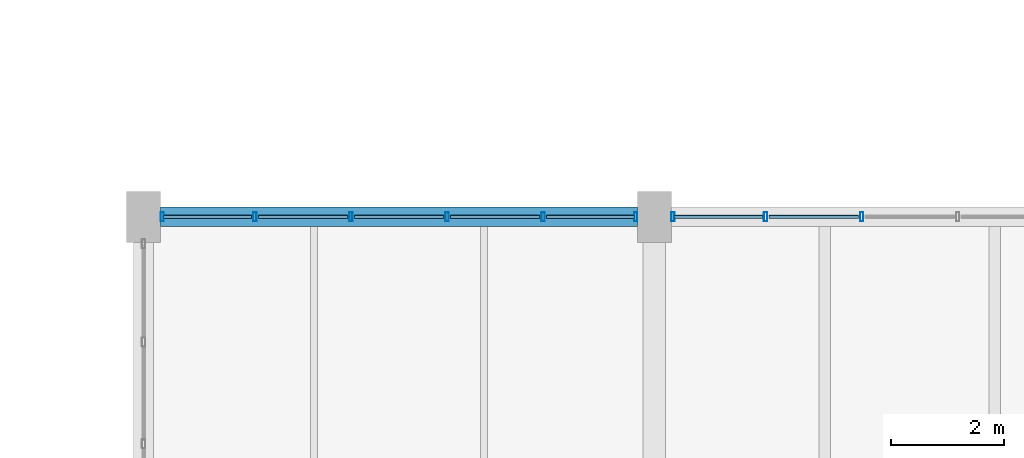
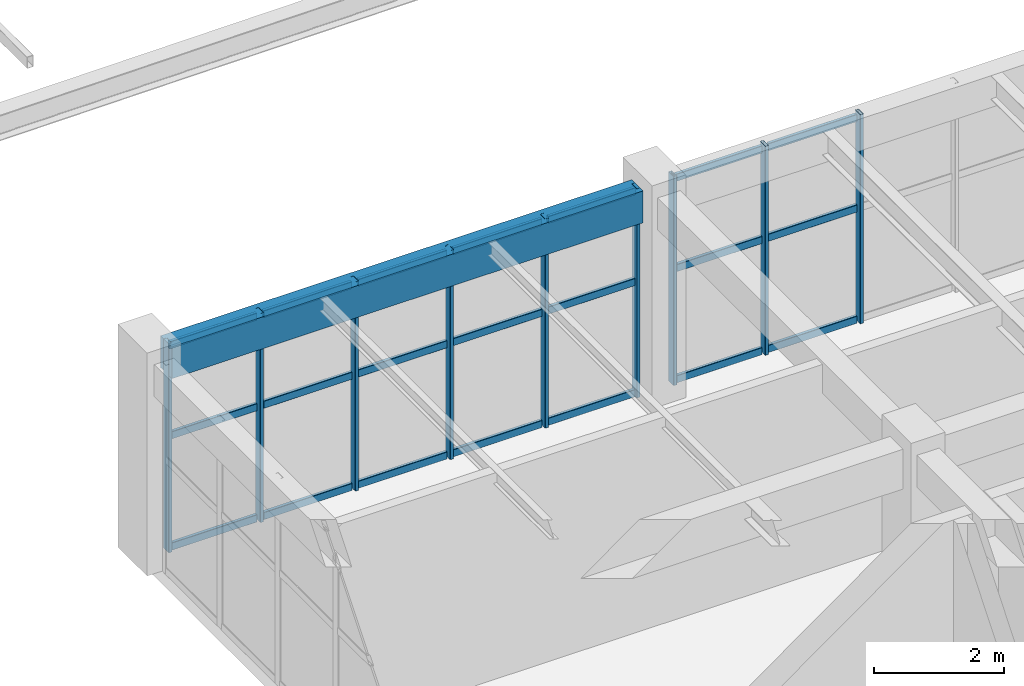
# One storey, part 16 of 148: 30 members, 1 beam, 2 elements without a shape of their own.
"""IFC4 building model written with IfcOpenShell, lengths in metres."""

from ifc_helpers import new_model, si_unit, derived_unit, direction, frame, origin, origin_2d, place, context, subcontext, project, spatial, rectangle, hollow_rectangle, extrude, material, material_profile, profile_set, type_object, element, aggregate, save


model = new_model("IFC4")

# Units and contexts
model_context = context("Model", 3, precision=1e-05, world=origin(), true_north=direction((0.0, 1.0)))
body_context = subcontext(model_context, "Body", "Model", "MODEL_VIEW")
ifc_project = project(units=[si_unit("LENGTHUNIT", "METRE"), si_unit("AREAUNIT", "SQUARE_METRE"), si_unit("VOLUMEUNIT", "CUBIC_METRE"), si_unit("PLANEANGLEUNIT", "RADIAN"), si_unit("MASSUNIT", "GRAM", prefix="KILO"), derived_unit("THERMALTRANSMITTANCEUNIT", [(si_unit("MASSUNIT", "GRAM", prefix="KILO"), 1), (si_unit("TIMEUNIT", "SECOND"), -3), (si_unit("THERMODYNAMICTEMPERATUREUNIT", "KELVIN"), -1)])], contexts=[model_context])

# Site, building, storey
site_placement = place(None, origin())
site = spatial("IfcSite", under=ifc_project, at=site_placement, CompositionType="ELEMENT")
building_placement = place(site_placement, origin())
building = spatial("IfcBuilding", under=site, at=building_placement, Name="Zhenchuan Archway Interchange", CompositionType="ELEMENT")
storey_placement = place(building_placement, frame((0.0, 0.0, 10.199951171875)))
storey = spatial("IfcBuildingStorey", under=building, at=storey_placement, Name="L02", CompositionType="ELEMENT", Elevation=10.199951171875)

# Curtain wall, members
ifc_material_1 = material(Name="Anodised Aluminium", Category="aluminium")
curtain_wall_type_1 = type_object("IfcCurtainWallType", Name="CW_UNIT_4", PredefinedType="NOTDEFINED", material=ifc_material_1)
curtain_wall_1_placement = place(storey_placement, origin())
curtain_wall_1 = element("IfcCurtainWall", 1, at=curtain_wall_1_placement, inside=storey, type_object=curtain_wall_type_1, Name="Unitised curtain wall CW:L02:111", PredefinedType="NOTDEFINED")
ifc_material_profile_1 = material_profile(ifc_material_1, hollow_rectangle(XDim=0.06005859375, YDim=0.159912109375, WallThickness=0.00390625, InnerFilletRadius=0.00390625, OuterFilletRadius=0.008056640625, at=origin_2d()), Name="ALU 160x60x4")
ifc_profile_set_1 = profile_set([ifc_material_profile_1], Name="Anodised Aluminium")
member_type_1 = type_object("IfcMemberType", Name="CW_MUL_150", PredefinedType="MULLION", material=ifc_profile_set_1)
member_1_placement = place(storey_placement, frame((0.327880859375, 16.0, 0.0), z_axis=(0.0, 0.0, 1.0), x_axis=(1.0, 0.0, 0.0)))
member_1 = element("IfcMember", 2, at=member_1_placement, type_object=member_type_1, Name="CW:L02:111 mullion 0", PredefinedType="MULLION", context=body_context, shape_type="SweptSolid", body=[
    extrude(hollow_rectangle(XDim=0.06005859375, YDim=0.159912109375, WallThickness=0.00390625, InnerFilletRadius=0.00390625, OuterFilletRadius=0.008056640625, at=origin_2d()), origin(), (0.0, 0.0, 1.0), 3.93994140625),
])
member_2_placement = place(storey_placement, frame((1.960693359375, 16.0, 0.0), z_axis=(0.0, 0.0, 1.0), x_axis=(1.0, 0.0, 0.0)))
member_2 = element("IfcMember", 3, at=member_2_placement, type_object=member_type_1, Name="CW:L02:111 mullion 1", PredefinedType="MULLION", context=body_context, shape_type="SweptSolid", body=[
    extrude(hollow_rectangle(XDim=0.06005859375, YDim=0.159912109375, WallThickness=0.00390625, InnerFilletRadius=0.00390625, OuterFilletRadius=0.008056640625, at=origin_2d()), origin(), (0.0, 0.0, 1.0), 3.93994140625),
])
member_3_placement = place(storey_placement, frame((3.653564453125, 16.0, 0.0), z_axis=(0.0, 0.0, 1.0), x_axis=(1.0, 0.0, 0.0)))
member_3 = element("IfcMember", 4, at=member_3_placement, type_object=member_type_1, Name="CW:L02:111 mullion 2", PredefinedType="MULLION", context=body_context, shape_type="SweptSolid", body=[
    extrude(hollow_rectangle(XDim=0.06005859375, YDim=0.159912109375, WallThickness=0.00390625, InnerFilletRadius=0.00390625, OuterFilletRadius=0.008056640625, at=origin_2d()), origin(), (0.0, 0.0, 1.0), 3.93994140625),
])
member_4_placement = place(storey_placement, frame((5.346435546875, 16.0, 0.0), z_axis=(0.0, 0.0, 1.0), x_axis=(1.0, 0.0, 0.0)))
member_4 = element("IfcMember", 5, at=member_4_placement, type_object=member_type_1, Name="CW:L02:111 mullion 3", PredefinedType="MULLION", context=body_context, shape_type="SweptSolid", body=[
    extrude(hollow_rectangle(XDim=0.06005859375, YDim=0.159912109375, WallThickness=0.00390625, InnerFilletRadius=0.00390625, OuterFilletRadius=0.008056640625, at=origin_2d()), origin(), (0.0, 0.0, 1.0), 3.93994140625),
])
member_5_placement = place(storey_placement, frame((7.039306640625, 16.0, 0.0), z_axis=(0.0, 0.0, 1.0), x_axis=(1.0, 0.0, 0.0)))
member_5 = element("IfcMember", 6, at=member_5_placement, type_object=member_type_1, Name="CW:L02:111 mullion 4", PredefinedType="MULLION", context=body_context, shape_type="SweptSolid", body=[
    extrude(hollow_rectangle(XDim=0.06005859375, YDim=0.159912109375, WallThickness=0.00390625, InnerFilletRadius=0.00390625, OuterFilletRadius=0.008056640625, at=origin_2d()), origin(), (0.0, 0.0, 1.0), 3.93994140625),
])
member_6_placement = place(storey_placement, frame((8.672119140625, 16.0, 0.0), z_axis=(0.0, 0.0, 1.0), x_axis=(1.0, 0.0, 0.0)))
member_6 = element("IfcMember", 7, at=member_6_placement, type_object=member_type_1, Name="CW:L02:111 mullion 5", PredefinedType="MULLION", context=body_context, shape_type="SweptSolid", body=[
    extrude(hollow_rectangle(XDim=0.06005859375, YDim=0.159912109375, WallThickness=0.00390625, InnerFilletRadius=0.00390625, OuterFilletRadius=0.008056640625, at=origin_2d()), origin(), (0.0, 0.0, 1.0), 3.93994140625),
])

curtain_wall_type_2 = type_object("IfcCurtainWallType", Name="CW_UNIT_1", PredefinedType="NOTDEFINED", material=ifc_material_1)
curtain_wall_2_placement = place(storey_placement, origin())
curtain_wall_2 = element("IfcCurtainWall", 8, at=curtain_wall_2_placement, inside=storey, type_object=curtain_wall_type_2, Name="Unitised curtain wall CW:L02:112", PredefinedType="NOTDEFINED")
member_7_placement = place(storey_placement, frame((9.327880859375, 16.0, 0.0), z_axis=(0.0, 0.0, 1.0), x_axis=(1.0, 0.0, 0.0)))
member_7 = element("IfcMember", 9, at=member_7_placement, type_object=member_type_1, Name="CW:L02:112 mullion 0", PredefinedType="MULLION", context=body_context, shape_type="SweptSolid", body=[
    extrude(hollow_rectangle(XDim=0.06005859375, YDim=0.159912109375, WallThickness=0.00390625, InnerFilletRadius=0.00390625, OuterFilletRadius=0.008056640625, at=origin_2d()), origin(), (0.0, 0.0, 1.0), 3.93994140625),
])
member_8_placement = place(storey_placement, frame((10.960693359375, 16.0, 0.0), z_axis=(0.0, 0.0, 1.0), x_axis=(1.0, 0.0, 0.0)))
member_8 = element("IfcMember", 10, at=member_8_placement, type_object=member_type_1, Name="CW:L02:112 mullion 1", PredefinedType="MULLION", context=body_context, shape_type="SweptSolid", body=[
    extrude(hollow_rectangle(XDim=0.06005859375, YDim=0.159912109375, WallThickness=0.00390625, InnerFilletRadius=0.00390625, OuterFilletRadius=0.008056640625, at=origin_2d()), origin(), (0.0, 0.0, 1.0), 3.93994140625),
])
member_9_placement = place(storey_placement, frame((12.653564453125, 16.0, 0.0), z_axis=(0.0, 0.0, 1.0), x_axis=(1.0, 0.0, 0.0)))
member_9 = element("IfcMember", 11, at=member_9_placement, type_object=member_type_1, Name="CW:L02:112 mullion 2", PredefinedType="MULLION", context=body_context, shape_type="SweptSolid", body=[
    extrude(hollow_rectangle(XDim=0.06005859375, YDim=0.159912109375, WallThickness=0.00390625, InnerFilletRadius=0.00390625, OuterFilletRadius=0.008056640625, at=origin_2d()), origin(), (0.0, 0.0, 1.0), 3.93994140625),
])

# Member
ifc_material_profile_2 = material_profile(ifc_material_1, hollow_rectangle(XDim=0.06005859375, YDim=0.139892578125, WallThickness=0.00341796875, InnerFilletRadius=0.00341796875, OuterFilletRadius=0.007080078125, at=origin_2d()), Name="ALU 140x60x3.5")
ifc_profile_set_2 = profile_set([ifc_material_profile_2], Name="Anodised Aluminium")
member_type_2 = type_object("IfcMemberType", Name="CW_TRN_140", PredefinedType="USERDEFINED", material=ifc_profile_set_2)
member_10_placement = place(storey_placement, frame((0.347900390625, 16.0, 0.06005859375), z_axis=(1.0, 0.0, 0.0), x_axis=(0.0, 1.0, 0.0)))
member_10 = element("IfcMember", 12, at=member_10_placement, type_object=member_type_2, Name="CW:L02:111 transom 0-1", ObjectType="TRANSOM", PredefinedType="USERDEFINED", context=body_context, shape_type="SweptSolid", body=[
    extrude(hollow_rectangle(XDim=0.06005859375, YDim=0.139892578125, WallThickness=0.00341796875, InnerFilletRadius=0.00341796875, OuterFilletRadius=0.007080078125, at=origin_2d()), origin(), (0.0, 0.0, 1.0), 1.552978515625),
])

member_11_placement = place(storey_placement, frame((0.347900390625, 16.0, 2.156005859375), z_axis=(1.0, 0.0, 0.0), x_axis=(0.0, 1.0, 0.0)))
member_11 = element("IfcMember", 13, at=member_11_placement, type_object=member_type_2, Name="CW:L02:111 transom 0-2", ObjectType="TRANSOM", PredefinedType="USERDEFINED", context=body_context, shape_type="SweptSolid", body=[
    extrude(hollow_rectangle(XDim=0.06005859375, YDim=0.139892578125, WallThickness=0.00341796875, InnerFilletRadius=0.00341796875, OuterFilletRadius=0.007080078125, at=origin_2d()), origin(), (0.0, 0.0, 1.0), 1.552978515625),
])

member_12_placement = place(storey_placement, frame((0.347900390625, 16.0, 3.860107421875), z_axis=(1.0, 0.0, 0.0), x_axis=(0.0, 1.0, 0.0)))
member_12 = element("IfcMember", 14, at=member_12_placement, type_object=member_type_2, Name="CW:L02:111 transom 0-3", ObjectType="TRANSOM", PredefinedType="USERDEFINED", context=body_context, shape_type="SweptSolid", body=[
    extrude(hollow_rectangle(XDim=0.06005859375, YDim=0.139892578125, WallThickness=0.00341796875, InnerFilletRadius=0.00341796875, OuterFilletRadius=0.007080078125, at=origin_2d()), origin(), (0.0, 0.0, 1.0), 1.552978515625),
])

member_13_placement = place(storey_placement, frame((2.020751953125, 16.0, 0.06005859375), z_axis=(1.0, 0.0, 0.0), x_axis=(0.0, 1.0, 0.0)))
member_13 = element("IfcMember", 15, at=member_13_placement, type_object=member_type_2, Name="CW:L02:111 transom 1-1", ObjectType="TRANSOM", PredefinedType="USERDEFINED", context=body_context, shape_type="SweptSolid", body=[
    extrude(hollow_rectangle(XDim=0.06005859375, YDim=0.139892578125, WallThickness=0.00341796875, InnerFilletRadius=0.00341796875, OuterFilletRadius=0.007080078125, at=origin_2d()), origin(), (0.0, 0.0, 1.0), 1.57275390625),
])

member_14_placement = place(storey_placement, frame((2.020751953125, 16.0, 2.156005859375), z_axis=(1.0, 0.0, 0.0), x_axis=(0.0, 1.0, 0.0)))
member_14 = element("IfcMember", 16, at=member_14_placement, type_object=member_type_2, Name="CW:L02:111 transom 1-2", ObjectType="TRANSOM", PredefinedType="USERDEFINED", context=body_context, shape_type="SweptSolid", body=[
    extrude(hollow_rectangle(XDim=0.06005859375, YDim=0.139892578125, WallThickness=0.00341796875, InnerFilletRadius=0.00341796875, OuterFilletRadius=0.007080078125, at=origin_2d()), origin(), (0.0, 0.0, 1.0), 1.57275390625),
])

member_15_placement = place(storey_placement, frame((2.020751953125, 16.0, 3.860107421875), z_axis=(1.0, 0.0, 0.0), x_axis=(0.0, 1.0, 0.0)))
member_15 = element("IfcMember", 17, at=member_15_placement, type_object=member_type_2, Name="CW:L02:111 transom 1-3", ObjectType="TRANSOM", PredefinedType="USERDEFINED", context=body_context, shape_type="SweptSolid", body=[
    extrude(hollow_rectangle(XDim=0.06005859375, YDim=0.139892578125, WallThickness=0.00341796875, InnerFilletRadius=0.00341796875, OuterFilletRadius=0.007080078125, at=origin_2d()), origin(), (0.0, 0.0, 1.0), 1.57275390625),
])

member_16_placement = place(storey_placement, frame((3.713623046875, 16.0, 0.06005859375), z_axis=(1.0, 0.0, 0.0), x_axis=(0.0, 1.0, 0.0)))
member_16 = element("IfcMember", 18, at=member_16_placement, type_object=member_type_2, Name="CW:L02:111 transom 2-1", ObjectType="TRANSOM", PredefinedType="USERDEFINED", context=body_context, shape_type="SweptSolid", body=[
    extrude(hollow_rectangle(XDim=0.06005859375, YDim=0.139892578125, WallThickness=0.00341796875, InnerFilletRadius=0.00341796875, OuterFilletRadius=0.007080078125, at=origin_2d()), origin(), (0.0, 0.0, 1.0), 1.57275390625),
])

member_17_placement = place(storey_placement, frame((3.713623046875, 16.0, 2.156005859375), z_axis=(1.0, 0.0, 0.0), x_axis=(0.0, 1.0, 0.0)))
member_17 = element("IfcMember", 19, at=member_17_placement, type_object=member_type_2, Name="CW:L02:111 transom 2-2", ObjectType="TRANSOM", PredefinedType="USERDEFINED", context=body_context, shape_type="SweptSolid", body=[
    extrude(hollow_rectangle(XDim=0.06005859375, YDim=0.139892578125, WallThickness=0.00341796875, InnerFilletRadius=0.00341796875, OuterFilletRadius=0.007080078125, at=origin_2d()), origin(), (0.0, 0.0, 1.0), 1.57275390625),
])

member_18_placement = place(storey_placement, frame((3.713623046875, 16.0, 3.860107421875), z_axis=(1.0, 0.0, 0.0), x_axis=(0.0, 1.0, 0.0)))
member_18 = element("IfcMember", 20, at=member_18_placement, type_object=member_type_2, Name="CW:L02:111 transom 2-3", ObjectType="TRANSOM", PredefinedType="USERDEFINED", context=body_context, shape_type="SweptSolid", body=[
    extrude(hollow_rectangle(XDim=0.06005859375, YDim=0.139892578125, WallThickness=0.00341796875, InnerFilletRadius=0.00341796875, OuterFilletRadius=0.007080078125, at=origin_2d()), origin(), (0.0, 0.0, 1.0), 1.57275390625),
])

member_19_placement = place(storey_placement, frame((5.406494140625, 16.0, 0.06005859375), z_axis=(1.0, 0.0, 0.0), x_axis=(0.0, 1.0, 0.0)))
member_19 = element("IfcMember", 21, at=member_19_placement, type_object=member_type_2, Name="CW:L02:111 transom 3-1", ObjectType="TRANSOM", PredefinedType="USERDEFINED", context=body_context, shape_type="SweptSolid", body=[
    extrude(hollow_rectangle(XDim=0.06005859375, YDim=0.139892578125, WallThickness=0.00341796875, InnerFilletRadius=0.00341796875, OuterFilletRadius=0.007080078125, at=origin_2d()), origin(), (0.0, 0.0, 1.0), 1.57275390625),
])

member_20_placement = place(storey_placement, frame((5.406494140625, 16.0, 2.156005859375), z_axis=(1.0, 0.0, 0.0), x_axis=(0.0, 1.0, 0.0)))
member_20 = element("IfcMember", 22, at=member_20_placement, type_object=member_type_2, Name="CW:L02:111 transom 3-2", ObjectType="TRANSOM", PredefinedType="USERDEFINED", context=body_context, shape_type="SweptSolid", body=[
    extrude(hollow_rectangle(XDim=0.06005859375, YDim=0.139892578125, WallThickness=0.00341796875, InnerFilletRadius=0.00341796875, OuterFilletRadius=0.007080078125, at=origin_2d()), origin(), (0.0, 0.0, 1.0), 1.57275390625),
])

member_21_placement = place(storey_placement, frame((5.406494140625, 16.0, 3.860107421875), z_axis=(1.0, 0.0, 0.0), x_axis=(0.0, 1.0, 0.0)))
member_21 = element("IfcMember", 23, at=member_21_placement, type_object=member_type_2, Name="CW:L02:111 transom 3-3", ObjectType="TRANSOM", PredefinedType="USERDEFINED", context=body_context, shape_type="SweptSolid", body=[
    extrude(hollow_rectangle(XDim=0.06005859375, YDim=0.139892578125, WallThickness=0.00341796875, InnerFilletRadius=0.00341796875, OuterFilletRadius=0.007080078125, at=origin_2d()), origin(), (0.0, 0.0, 1.0), 1.57275390625),
])

member_22_placement = place(storey_placement, frame((7.09912109375, 16.0, 0.06005859375), z_axis=(1.0, 0.0, 0.0), x_axis=(0.0, 1.0, 0.0)))
member_22 = element("IfcMember", 24, at=member_22_placement, type_object=member_type_2, Name="CW:L02:111 transom 4-1", ObjectType="TRANSOM", PredefinedType="USERDEFINED", context=body_context, shape_type="SweptSolid", body=[
    extrude(hollow_rectangle(XDim=0.06005859375, YDim=0.139892578125, WallThickness=0.00341796875, InnerFilletRadius=0.00341796875, OuterFilletRadius=0.007080078125, at=origin_2d()), origin(), (0.0, 0.0, 1.0), 1.552978515625),
])

member_23_placement = place(storey_placement, frame((7.09912109375, 16.0, 2.156005859375), z_axis=(1.0, 0.0, 0.0), x_axis=(0.0, 1.0, 0.0)))
member_23 = element("IfcMember", 25, at=member_23_placement, type_object=member_type_2, Name="CW:L02:111 transom 4-2", ObjectType="TRANSOM", PredefinedType="USERDEFINED", context=body_context, shape_type="SweptSolid", body=[
    extrude(hollow_rectangle(XDim=0.06005859375, YDim=0.139892578125, WallThickness=0.00341796875, InnerFilletRadius=0.00341796875, OuterFilletRadius=0.007080078125, at=origin_2d()), origin(), (0.0, 0.0, 1.0), 1.552978515625),
])

member_24_placement = place(storey_placement, frame((7.09912109375, 16.0, 3.860107421875), z_axis=(1.0, 0.0, 0.0), x_axis=(0.0, 1.0, 0.0)))
member_24 = element("IfcMember", 26, at=member_24_placement, type_object=member_type_2, Name="CW:L02:111 transom 4-3", ObjectType="TRANSOM", PredefinedType="USERDEFINED", context=body_context, shape_type="SweptSolid", body=[
    extrude(hollow_rectangle(XDim=0.06005859375, YDim=0.139892578125, WallThickness=0.00341796875, InnerFilletRadius=0.00341796875, OuterFilletRadius=0.007080078125, at=origin_2d()), origin(), (0.0, 0.0, 1.0), 1.552978515625),
])

aggregate(curtain_wall_1, [member_1, member_2, member_3, member_4, member_5, member_6, member_10, member_11, member_12, member_13, member_14, member_15, member_16, member_17, member_18, member_19, member_20, member_21, member_22, member_23, member_24])

member_25_placement = place(storey_placement, frame((9.347900390625, 16.0, 0.06005859375), z_axis=(1.0, 0.0, 0.0), x_axis=(0.0, 1.0, 0.0)))
member_25 = element("IfcMember", 27, at=member_25_placement, type_object=member_type_2, Name="CW:L02:112 transom 0-1", ObjectType="TRANSOM", PredefinedType="USERDEFINED", context=body_context, shape_type="SweptSolid", body=[
    extrude(hollow_rectangle(XDim=0.06005859375, YDim=0.139892578125, WallThickness=0.00341796875, InnerFilletRadius=0.00341796875, OuterFilletRadius=0.007080078125, at=origin_2d()), origin(), (0.0, 0.0, 1.0), 1.552978515625),
])

member_26_placement = place(storey_placement, frame((9.347900390625, 16.0, 2.156005859375), z_axis=(1.0, 0.0, 0.0), x_axis=(0.0, 1.0, 0.0)))
member_26 = element("IfcMember", 28, at=member_26_placement, type_object=member_type_2, Name="CW:L02:112 transom 0-2", ObjectType="TRANSOM", PredefinedType="USERDEFINED", context=body_context, shape_type="SweptSolid", body=[
    extrude(hollow_rectangle(XDim=0.06005859375, YDim=0.139892578125, WallThickness=0.00341796875, InnerFilletRadius=0.00341796875, OuterFilletRadius=0.007080078125, at=origin_2d()), origin(), (0.0, 0.0, 1.0), 1.552978515625),
])

member_27_placement = place(storey_placement, frame((9.347900390625, 16.0, 3.860107421875), z_axis=(1.0, 0.0, 0.0), x_axis=(0.0, 1.0, 0.0)))
member_27 = element("IfcMember", 29, at=member_27_placement, type_object=member_type_2, Name="CW:L02:112 transom 0-3", ObjectType="TRANSOM", PredefinedType="USERDEFINED", context=body_context, shape_type="SweptSolid", body=[
    extrude(hollow_rectangle(XDim=0.06005859375, YDim=0.139892578125, WallThickness=0.00341796875, InnerFilletRadius=0.00341796875, OuterFilletRadius=0.007080078125, at=origin_2d()), origin(), (0.0, 0.0, 1.0), 1.552978515625),
])

member_28_placement = place(storey_placement, frame((11.020751953125, 16.0, 0.06005859375), z_axis=(1.0, 0.0, 0.0), x_axis=(0.0, 1.0, 0.0)))
member_28 = element("IfcMember", 30, at=member_28_placement, type_object=member_type_2, Name="CW:L02:112 transom 1-1", ObjectType="TRANSOM", PredefinedType="USERDEFINED", context=body_context, shape_type="SweptSolid", body=[
    extrude(hollow_rectangle(XDim=0.06005859375, YDim=0.139892578125, WallThickness=0.00341796875, InnerFilletRadius=0.00341796875, OuterFilletRadius=0.007080078125, at=origin_2d()), origin(), (0.0, 0.0, 1.0), 1.57275390625),
])

member_29_placement = place(storey_placement, frame((11.020751953125, 16.0, 2.156005859375), z_axis=(1.0, 0.0, 0.0), x_axis=(0.0, 1.0, 0.0)))
member_29 = element("IfcMember", 31, at=member_29_placement, type_object=member_type_2, Name="CW:L02:112 transom 1-2", ObjectType="TRANSOM", PredefinedType="USERDEFINED", context=body_context, shape_type="SweptSolid", body=[
    extrude(hollow_rectangle(XDim=0.06005859375, YDim=0.139892578125, WallThickness=0.00341796875, InnerFilletRadius=0.00341796875, OuterFilletRadius=0.007080078125, at=origin_2d()), origin(), (0.0, 0.0, 1.0), 1.57275390625),
])

member_30_placement = place(storey_placement, frame((11.020751953125, 16.0, 3.860107421875), z_axis=(1.0, 0.0, 0.0), x_axis=(0.0, 1.0, 0.0)))
member_30 = element("IfcMember", 32, at=member_30_placement, type_object=member_type_2, Name="CW:L02:112 transom 1-3", ObjectType="TRANSOM", PredefinedType="USERDEFINED", context=body_context, shape_type="SweptSolid", body=[
    extrude(hollow_rectangle(XDim=0.06005859375, YDim=0.139892578125, WallThickness=0.00341796875, InnerFilletRadius=0.00341796875, OuterFilletRadius=0.007080078125, at=origin_2d()), origin(), (0.0, 0.0, 1.0), 1.57275390625),
])

aggregate(curtain_wall_2, [member_7, member_8, member_9, member_25, member_26, member_27, member_28, member_29, member_30])

# Beam
ifc_material_2 = material(Name="Concrete C40", Category="concrete")
ifc_material_profile_3 = material_profile(ifc_material_2, rectangle(XDim=0.35009765625, YDim=0.60009765625, at=origin_2d()), Name="RC 350x600")
ifc_profile_set_3 = profile_set([ifc_material_profile_3], Name="Concrete C40")
beam_type = type_object("IfcBeamType", Name="SP_RC_350x600", PredefinedType="SPANDREL", material=ifc_profile_set_3)
beam_placement = place(storey_placement, frame((0.300048828125, 16.0, 3.64013671875), z_axis=(1.0, 0.0, 0.0), x_axis=(0.0, 1.0, 0.0)))
element("IfcBeam", 33, at=beam_placement, inside=storey, type_object=beam_type, Name="Beam C:1-2 (L02)", PredefinedType="SPANDREL", context=body_context, shape_type="SweptSolid", body=[
    extrude(rectangle(XDim=0.35009765625, YDim=0.60009765625, at=origin_2d()), origin(), (0.0, 0.0, 1.0), 8.39990234375),
])

save(model, "model.ifc")
